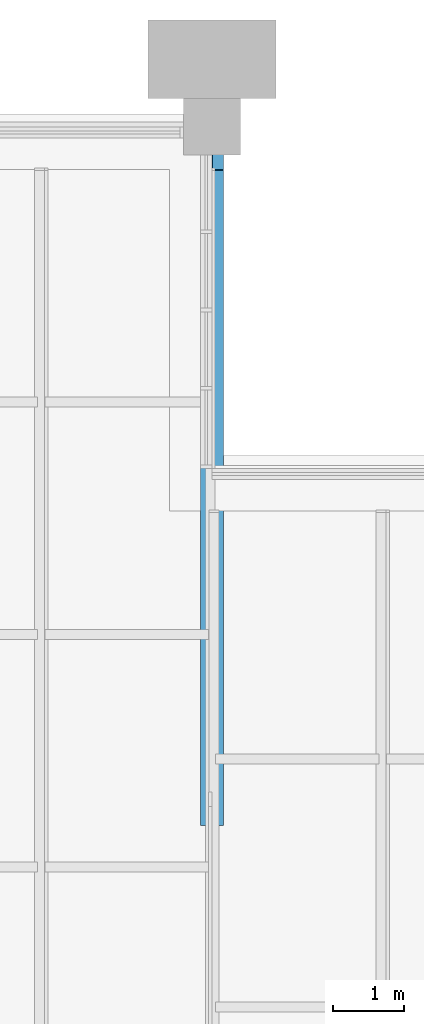
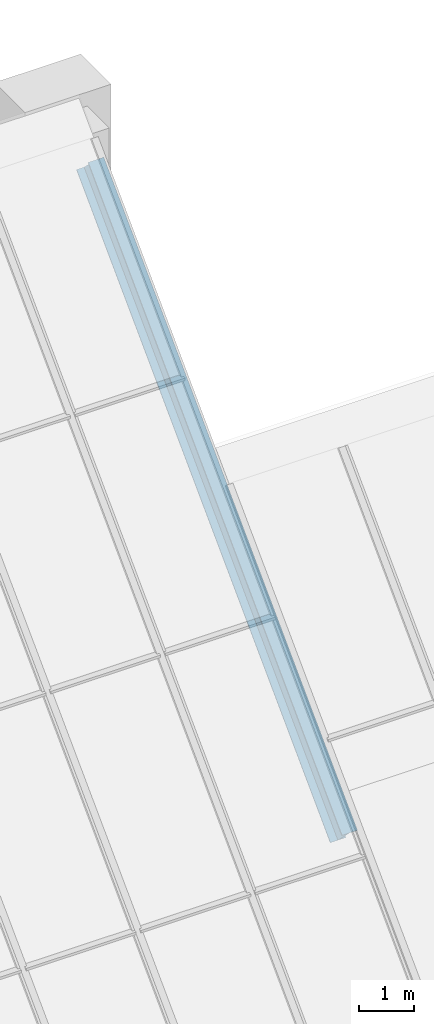
# One storey, part 13 of 25: 1 beam.
"""IFC4 building model written with IfcOpenShell, lengths in metres."""

from ifc_helpers import new_model, si_unit, direction, frame, origin, origin_2d, place, context, subcontext, project, spatial, i_section, extrude, material, material_profile, profile_set, type_object, element, save


model = new_model("IFC4")

# Units and contexts
model_context = context("Model", 3, precision=1e-05, world=origin(), true_north=direction((0.0, 1.0)))
body_context = subcontext(model_context, "Body", "Model", "MODEL_VIEW")
ifc_project = project(units=[si_unit("LENGTHUNIT", "METRE"), si_unit("AREAUNIT", "SQUARE_METRE"), si_unit("VOLUMEUNIT", "CUBIC_METRE"), si_unit("PLANEANGLEUNIT", "RADIAN"), si_unit("MASSUNIT", "GRAM", prefix="KILO")], contexts=[model_context])

# Site, building, storey
site_placement = place(None, origin())
site = spatial("IfcSite", under=ifc_project, at=site_placement, CompositionType="ELEMENT")
building_placement = place(site_placement, origin())
building = spatial("IfcBuilding", under=site, at=building_placement, Name="Baori Bourse Tower", CompositionType="ELEMENT")
storey_placement = place(building_placement, frame((0.0, 0.0, 378.300048828125)))
storey = spatial("IfcBuildingStorey", under=building, at=storey_placement, Name="Roof", CompositionType="ELEMENT", Elevation=378.300048828125)

# Beam
ifc_material = material(Name="Steel A992 Gr 50", Category="steel")
ifc_material_profile = material_profile(ifc_material, i_section(OverallWidth=0.3251953125, OverallDepth=0.612060546875, WebThickness=0.0126953125, FlangeThickness=0.01904296875, at=origin_2d()), Name="W24x104")
ifc_profile_set = profile_set([ifc_material_profile], Name="Steel A992 Gr 50")
beam_type = type_object("IfcBeamType", Name="Rafter W24x104", PredefinedType="BEAM", material=ifc_profile_set)
beam_placement = place(storey_placement, frame((38.39990234375, 38.39990234375, 22.58154296875), z_axis=(0.0, 0.702711048158, 0.711475356422), x_axis=(-1.0, 0.0, 0.0)))
element("IfcBeam", 1, at=beam_placement, inside=storey, type_object=beam_type, Name="Rafter Roof", PredefinedType="BEAM", context=body_context, shape_type="SweptSolid", body=[
    extrude(i_section(OverallWidth=0.3251953125, OverallDepth=0.612060546875, WebThickness=0.0126953125, FlangeThickness=0.01904296875, at=origin_2d()), origin(), (0.0, 0.0, 1.0), 13.092529296875),
])

save(model, "model.ifc")
